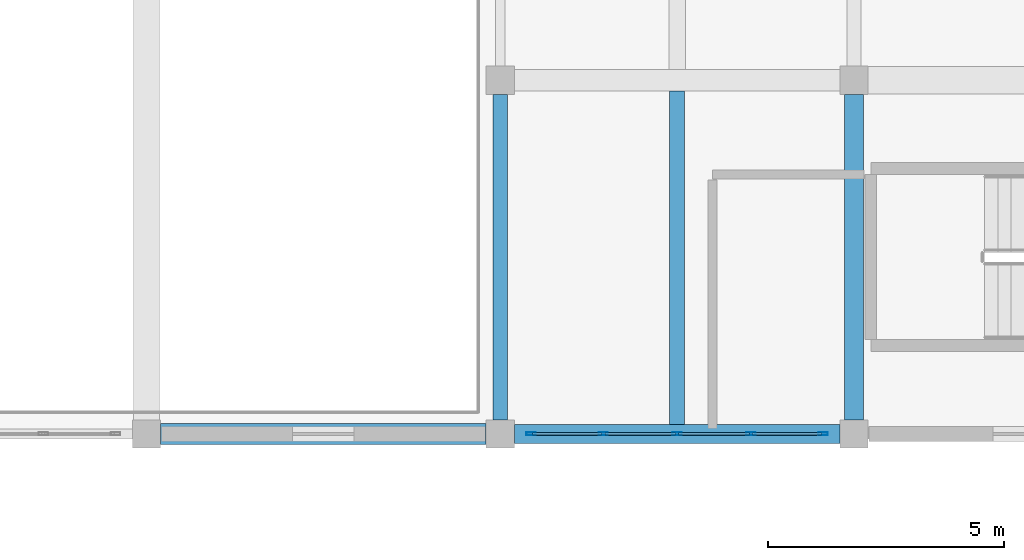
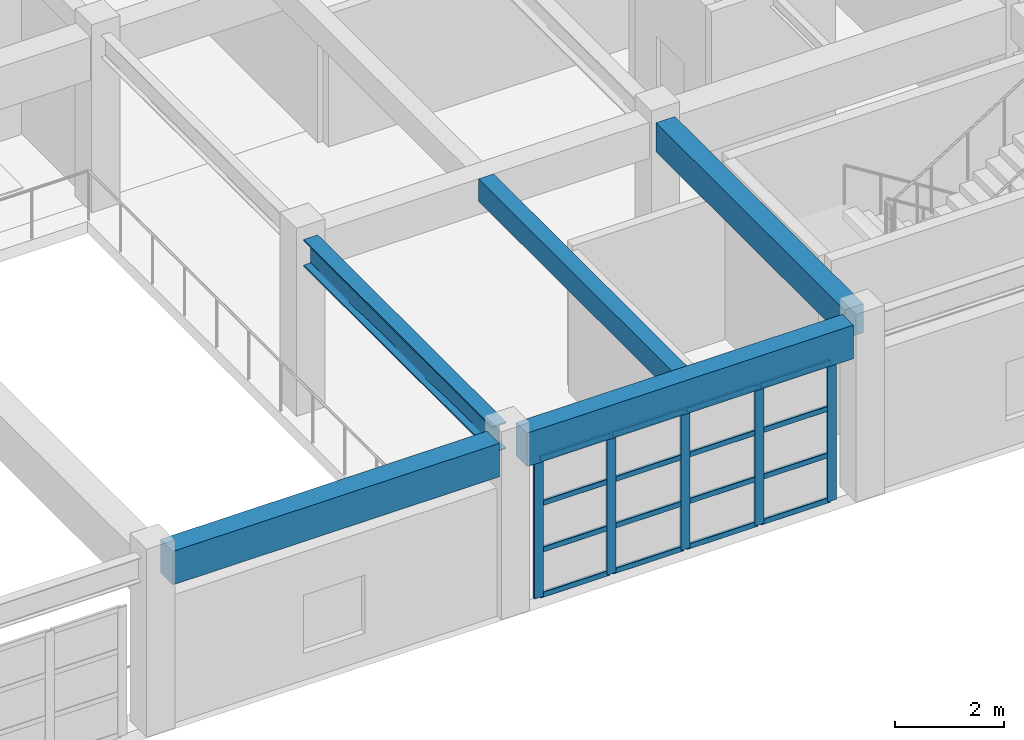
# One storey, part 69 of 124: 21 members, 5 beams, 1 element without a shape of its own.
"""IFC4 building model written with IfcOpenShell, lengths in metres."""

from ifc_helpers import new_model, si_unit, direction, frame, origin, origin_2d, place, context, subcontext, project, spatial, rectangle, hollow_rectangle, i_section, extrude, material, material_profile, profile_set, type_object, element, aggregate, save


model = new_model("IFC4")

# Units and contexts
model_context = context("Model", 3, precision=1e-05, world=origin(), true_north=direction((0.0, 1.0)))
body_context = subcontext(model_context, "Body", "Model", "MODEL_VIEW")
ifc_project = project(units=[si_unit("LENGTHUNIT", "METRE"), si_unit("AREAUNIT", "SQUARE_METRE"), si_unit("VOLUMEUNIT", "CUBIC_METRE"), si_unit("PLANEANGLEUNIT", "RADIAN"), si_unit("MASSUNIT", "GRAM", prefix="KILO")], contexts=[model_context])

# Site, building, storey
site_placement = place(None, origin())
site = spatial("IfcSite", under=ifc_project, at=site_placement, CompositionType="ELEMENT")
building_placement = place(site_placement, origin())
building = spatial("IfcBuilding", under=site, at=building_placement, Name="Qasida Concert Hall", CompositionType="ELEMENT")
storey_placement = place(building_placement, frame((0.0, 0.0, 9.0)))
storey = spatial("IfcBuildingStorey", under=building, at=storey_placement, Name="L02", CompositionType="ELEMENT", Elevation=9.0)

# Beams
ifc_material_1 = material(Name="Concrete C40/50", Category="concrete")
ifc_material_profile_1 = material_profile(ifc_material_1, rectangle(XDim=0.39990234375, YDim=0.64990234375, at=origin_2d()), Name="RC 400x650")
ifc_profile_set_1 = profile_set([ifc_material_profile_1], Name="Concrete C40/50")
beam_type_1 = type_object("IfcBeamType", Name="BM-B1", PredefinedType="BEAM", material=ifc_profile_set_1)
beam_1_placement = place(storey_placement, frame((157.5, 75.300048828125, 3.574951171875), z_axis=(0.0, 1.0, 0.0), x_axis=(-1.0, 0.0, 0.0)))
element("IfcBeam", 1, at=beam_1_placement, inside=storey, type_object=beam_type_1, Name="L02 girder 1406", PredefinedType="BEAM", context=body_context, shape_type="SweptSolid", body=[
    extrude(rectangle(XDim=0.39990234375, YDim=0.64990234375, at=origin_2d()), origin(), (0.0, 0.0, 1.0), 6.89990234375),
])
ifc_material_2 = material(Name="Steel S355J2", Category="steel")
ifc_material_profile_2 = material_profile(ifc_material_2, i_section(OverallWidth=0.300048828125, OverallDepth=0.60009765625, WebThickness=0.015380859375, FlangeThickness=0.030029296875, FilletRadius=0.027099609375, at=origin_2d()), Name="HEB 600")
ifc_profile_set_2 = profile_set([ifc_material_profile_2], Name="Steel S355J2")
beam_type_2 = type_object("IfcBeamType", Name="BM-B6", PredefinedType="BEAM", material=ifc_profile_set_2)
beam_2_placement = place(storey_placement, frame((150.0, 75.300048828125, 3.60009765625), z_axis=(0.0, 1.0, 0.0), x_axis=(-1.0, 0.0, 0.0)))
element("IfcBeam", 2, at=beam_2_placement, inside=storey, type_object=beam_type_2, Name="L02 girder 1401", PredefinedType="BEAM", context=body_context, shape_type="SweptSolid", body=[
    extrude(i_section(OverallWidth=0.300048828125, OverallDepth=0.60009765625, WebThickness=0.015380859375, FlangeThickness=0.030029296875, FilletRadius=0.027099609375, at=origin_2d()), origin(), (0.0, 0.0, 1.0), 6.89990234375),
])
ifc_material_profile_3 = material_profile(ifc_material_1, rectangle(XDim=0.320068359375, YDim=0.5, at=origin_2d()), Name="RC 320x500")
ifc_profile_set_3 = profile_set([ifc_material_profile_3], Name="Concrete C40/50")
beam_type_3 = type_object("IfcBeamType", Name="BM-J7", PredefinedType="JOIST", material=ifc_profile_set_3)
beam_3_placement = place(storey_placement, frame((153.75, 75.199951171875, 3.64990234375), z_axis=(0.0, 1.0, 0.0), x_axis=(-1.0, 0.0, 0.0)))
element("IfcBeam", 3, at=beam_3_placement, inside=storey, type_object=beam_type_3, Name="L02 secondary joist 1430", PredefinedType="JOIST", context=body_context, shape_type="SweptSolid", body=[
    extrude(rectangle(XDim=0.320068359375, YDim=0.5, at=origin_2d()), origin(), (0.0, 0.0, 1.0), 7.074951171875),
])
ifc_material_profile_4 = material_profile(ifc_material_1, rectangle(XDim=0.39990234375, YDim=0.75, at=origin_2d()), Name="RC 400x750")
ifc_profile_set_4 = profile_set([ifc_material_profile_4], Name="Concrete C40/50")
beam_type_4 = type_object("IfcBeamType", Name="BM-SP1", PredefinedType="SPANDREL", material=ifc_profile_set_4)
beam_4_placement = place(storey_placement, frame((150.300048828125, 75.0, 3.52490234375), z_axis=(1.0, 0.0, 0.0), x_axis=(0.0, 1.0, 0.0)))
element("IfcBeam", 4, at=beam_4_placement, inside=storey, type_object=beam_type_4, Name="Primary girder 1354", PredefinedType="SPANDREL", context=body_context, shape_type="SweptSolid", body=[
    extrude(rectangle(XDim=0.39990234375, YDim=0.75, at=origin_2d()), origin(), (0.0, 0.0, 1.0), 6.89990234375),
])
ifc_material_profile_5 = material_profile(ifc_material_1, rectangle(XDim=0.449951171875, YDim=0.75, at=origin_2d()), Name="RC 450x750")
ifc_profile_set_5 = profile_set([ifc_material_profile_5], Name="Concrete C40/50")
beam_type_5 = type_object("IfcBeamType", Name="BM-SP4", PredefinedType="SPANDREL", material=ifc_profile_set_5)
beam_5_placement = place(storey_placement, frame((142.800048828125, 75.0, 3.52490234375), z_axis=(1.0, 0.0, 0.0), x_axis=(0.0, 1.0, 0.0)))
element("IfcBeam", 5, at=beam_5_placement, inside=storey, type_object=beam_type_5, Name="Primary girder 1353", PredefinedType="SPANDREL", context=body_context, shape_type="SweptSolid", body=[
    extrude(rectangle(XDim=0.449951171875, YDim=0.75, at=origin_2d()), origin(), (0.0, 0.0, 1.0), 6.89990234375),
])

# Curtain wall, members
ifc_material_3 = material(Name="Architectural bronze-anodized aluminium and low-E glass", Category="aluminium")
curtain_wall_type = type_object("IfcCurtainWallType", Name="CW-03", PredefinedType="NOTDEFINED", material=ifc_material_3)
curtain_wall_placement = place(storey_placement, origin())
curtain_wall = element("IfcCurtainWall", 6, at=curtain_wall_placement, inside=storey, type_object=curtain_wall_type, Name="L02 curtain wall CW-03 0173", PredefinedType="NOTDEFINED")
ifc_material_4 = material(Name="Architectural bronze-anodized aluminium EN AW-6063", Category="aluminium")
ifc_material_profile_6 = material_profile(ifc_material_4, hollow_rectangle(XDim=0.06494140625, YDim=0.199951171875, WallThickness=0.0048828125, InnerFilletRadius=0.0048828125, OuterFilletRadius=0.010009765625, at=origin_2d()), Name="CWM 200x65x5")
ifc_profile_set_6 = profile_set([ifc_material_profile_6], Name="Architectural bronze-anodized aluminium EN AW-6063")
member_type_1 = type_object("IfcMemberType", Name="MB-CWM-2", PredefinedType="MULLION", material=ifc_profile_set_6)
member_1_placement = place(storey_placement, frame((150.652587890625, 75.0, 0.0), z_axis=(0.0, 0.0, 1.0), x_axis=(0.0, 1.0, 0.0)))
member_1 = element("IfcMember", 7, at=member_1_placement, type_object=member_type_1, Name="CW-03 mullion 1", PredefinedType="MULLION", context=body_context, shape_type="SweptSolid", body=[
    extrude(hollow_rectangle(XDim=0.06494140625, YDim=0.199951171875, WallThickness=0.0048828125, InnerFilletRadius=0.0048828125, OuterFilletRadius=0.010009765625, at=origin_2d()), origin(), (0.0, 0.0, 1.0), 3.1201171875),
])
member_2_placement = place(storey_placement, frame((152.18505859375, 75.0, 0.0), z_axis=(0.0, 0.0, 1.0), x_axis=(0.0, 1.0, 0.0)))
member_2 = element("IfcMember", 8, at=member_2_placement, type_object=member_type_1, Name="CW-03 mullion 2", PredefinedType="MULLION", context=body_context, shape_type="SweptSolid", body=[
    extrude(hollow_rectangle(XDim=0.06494140625, YDim=0.199951171875, WallThickness=0.0048828125, InnerFilletRadius=0.0048828125, OuterFilletRadius=0.010009765625, at=origin_2d()), origin(), (0.0, 0.0, 1.0), 3.1201171875),
])
member_3_placement = place(storey_placement, frame((153.75, 75.0, 0.0), z_axis=(0.0, 0.0, 1.0), x_axis=(0.0, 1.0, 0.0)))
member_3 = element("IfcMember", 9, at=member_3_placement, type_object=member_type_1, Name="CW-03 mullion 3", PredefinedType="MULLION", context=body_context, shape_type="SweptSolid", body=[
    extrude(hollow_rectangle(XDim=0.06494140625, YDim=0.199951171875, WallThickness=0.0048828125, InnerFilletRadius=0.0048828125, OuterFilletRadius=0.010009765625, at=origin_2d()), origin(), (0.0, 0.0, 1.0), 3.1201171875),
])
member_4_placement = place(storey_placement, frame((155.31494140625, 75.0, 0.0), z_axis=(0.0, 0.0, 1.0), x_axis=(0.0, 1.0, 0.0)))
member_4 = element("IfcMember", 10, at=member_4_placement, type_object=member_type_1, Name="CW-03 mullion 4", PredefinedType="MULLION", context=body_context, shape_type="SweptSolid", body=[
    extrude(hollow_rectangle(XDim=0.06494140625, YDim=0.199951171875, WallThickness=0.0048828125, InnerFilletRadius=0.0048828125, OuterFilletRadius=0.010009765625, at=origin_2d()), origin(), (0.0, 0.0, 1.0), 3.1201171875),
])
member_5_placement = place(storey_placement, frame((156.847412109375, 75.0, 0.0), z_axis=(0.0, 0.0, 1.0), x_axis=(0.0, 1.0, 0.0)))
member_5 = element("IfcMember", 11, at=member_5_placement, type_object=member_type_1, Name="CW-03 mullion 5", PredefinedType="MULLION", context=body_context, shape_type="SweptSolid", body=[
    extrude(hollow_rectangle(XDim=0.06494140625, YDim=0.199951171875, WallThickness=0.0048828125, InnerFilletRadius=0.0048828125, OuterFilletRadius=0.010009765625, at=origin_2d()), origin(), (0.0, 0.0, 1.0), 3.1201171875),
])
ifc_material_profile_7 = material_profile(ifc_material_4, hollow_rectangle(XDim=0.06005859375, YDim=0.1201171875, WallThickness=0.00390625, InnerFilletRadius=0.00390625, OuterFilletRadius=0.008056640625, at=origin_2d()), Name="CWT 120x60x4")
ifc_profile_set_7 = profile_set([ifc_material_profile_7], Name="Architectural bronze-anodized aluminium EN AW-6063")
member_type_2 = type_object("IfcMemberType", Name="MB-CWT-2", PredefinedType="USERDEFINED", material=ifc_profile_set_7)
member_6_placement = place(storey_placement, frame((150.68505859375, 75.0, 0.030029296875), z_axis=(1.0, 0.0, 0.0), x_axis=(0.0, 1.0, 0.0)))
member_6 = element("IfcMember", 12, at=member_6_placement, type_object=member_type_2, Name="CW-03 transom 1.1", ObjectType="TRANSOM", PredefinedType="USERDEFINED", context=body_context, shape_type="SweptSolid", body=[
    extrude(hollow_rectangle(XDim=0.06005859375, YDim=0.1201171875, WallThickness=0.00390625, InnerFilletRadius=0.00390625, OuterFilletRadius=0.008056640625, at=origin_2d()), origin(), (0.0, 0.0, 1.0), 1.467529296875),
])
member_7_placement = place(storey_placement, frame((150.68505859375, 75.0, 1.0400390625), z_axis=(1.0, 0.0, 0.0), x_axis=(0.0, 1.0, 0.0)))
member_7 = element("IfcMember", 13, at=member_7_placement, type_object=member_type_2, Name="CW-03 transom 1.2", ObjectType="TRANSOM", PredefinedType="USERDEFINED", context=body_context, shape_type="SweptSolid", body=[
    extrude(hollow_rectangle(XDim=0.06005859375, YDim=0.1201171875, WallThickness=0.00390625, InnerFilletRadius=0.00390625, OuterFilletRadius=0.008056640625, at=origin_2d()), origin(), (0.0, 0.0, 1.0), 1.467529296875),
])
member_8_placement = place(storey_placement, frame((150.68505859375, 75.0, 2.080078125), z_axis=(1.0, 0.0, 0.0), x_axis=(0.0, 1.0, 0.0)))
member_8 = element("IfcMember", 14, at=member_8_placement, type_object=member_type_2, Name="CW-03 transom 1.3", ObjectType="TRANSOM", PredefinedType="USERDEFINED", context=body_context, shape_type="SweptSolid", body=[
    extrude(hollow_rectangle(XDim=0.06005859375, YDim=0.1201171875, WallThickness=0.00390625, InnerFilletRadius=0.00390625, OuterFilletRadius=0.008056640625, at=origin_2d()), origin(), (0.0, 0.0, 1.0), 1.467529296875),
])
member_9_placement = place(storey_placement, frame((150.68505859375, 75.0, 3.090087890625), z_axis=(1.0, 0.0, 0.0), x_axis=(0.0, 1.0, 0.0)))
member_9 = element("IfcMember", 15, at=member_9_placement, type_object=member_type_2, Name="CW-03 transom 1.4", ObjectType="TRANSOM", PredefinedType="USERDEFINED", context=body_context, shape_type="SweptSolid", body=[
    extrude(hollow_rectangle(XDim=0.06005859375, YDim=0.1201171875, WallThickness=0.00390625, InnerFilletRadius=0.00390625, OuterFilletRadius=0.008056640625, at=origin_2d()), origin(), (0.0, 0.0, 1.0), 1.467529296875),
])
member_10_placement = place(storey_placement, frame((152.217529296875, 75.0, 0.030029296875), z_axis=(1.0, 0.0, 0.0), x_axis=(0.0, 1.0, 0.0)))
member_10 = element("IfcMember", 16, at=member_10_placement, type_object=member_type_2, Name="CW-03 transom 2.1", ObjectType="TRANSOM", PredefinedType="USERDEFINED", context=body_context, shape_type="SweptSolid", body=[
    extrude(hollow_rectangle(XDim=0.06005859375, YDim=0.1201171875, WallThickness=0.00390625, InnerFilletRadius=0.00390625, OuterFilletRadius=0.008056640625, at=origin_2d()), origin(), (0.0, 0.0, 1.0), 1.5),
])
member_11_placement = place(storey_placement, frame((152.217529296875, 75.0, 1.0400390625), z_axis=(1.0, 0.0, 0.0), x_axis=(0.0, 1.0, 0.0)))
member_11 = element("IfcMember", 17, at=member_11_placement, type_object=member_type_2, Name="CW-03 transom 2.2", ObjectType="TRANSOM", PredefinedType="USERDEFINED", context=body_context, shape_type="SweptSolid", body=[
    extrude(hollow_rectangle(XDim=0.06005859375, YDim=0.1201171875, WallThickness=0.00390625, InnerFilletRadius=0.00390625, OuterFilletRadius=0.008056640625, at=origin_2d()), origin(), (0.0, 0.0, 1.0), 1.5),
])
member_12_placement = place(storey_placement, frame((152.217529296875, 75.0, 2.080078125), z_axis=(1.0, 0.0, 0.0), x_axis=(0.0, 1.0, 0.0)))
member_12 = element("IfcMember", 18, at=member_12_placement, type_object=member_type_2, Name="CW-03 transom 2.3", ObjectType="TRANSOM", PredefinedType="USERDEFINED", context=body_context, shape_type="SweptSolid", body=[
    extrude(hollow_rectangle(XDim=0.06005859375, YDim=0.1201171875, WallThickness=0.00390625, InnerFilletRadius=0.00390625, OuterFilletRadius=0.008056640625, at=origin_2d()), origin(), (0.0, 0.0, 1.0), 1.5),
])
member_13_placement = place(storey_placement, frame((152.217529296875, 75.0, 3.090087890625), z_axis=(1.0, 0.0, 0.0), x_axis=(0.0, 1.0, 0.0)))
member_13 = element("IfcMember", 19, at=member_13_placement, type_object=member_type_2, Name="CW-03 transom 2.4", ObjectType="TRANSOM", PredefinedType="USERDEFINED", context=body_context, shape_type="SweptSolid", body=[
    extrude(hollow_rectangle(XDim=0.06005859375, YDim=0.1201171875, WallThickness=0.00390625, InnerFilletRadius=0.00390625, OuterFilletRadius=0.008056640625, at=origin_2d()), origin(), (0.0, 0.0, 1.0), 1.5),
])
member_14_placement = place(storey_placement, frame((153.782470703125, 75.0, 0.030029296875), z_axis=(1.0, 0.0, 0.0), x_axis=(0.0, 1.0, 0.0)))
member_14 = element("IfcMember", 20, at=member_14_placement, type_object=member_type_2, Name="CW-03 transom 3.1", ObjectType="TRANSOM", PredefinedType="USERDEFINED", context=body_context, shape_type="SweptSolid", body=[
    extrude(hollow_rectangle(XDim=0.06005859375, YDim=0.1201171875, WallThickness=0.00390625, InnerFilletRadius=0.00390625, OuterFilletRadius=0.008056640625, at=origin_2d()), origin(), (0.0, 0.0, 1.0), 1.5),
])
member_15_placement = place(storey_placement, frame((153.782470703125, 75.0, 1.0400390625), z_axis=(1.0, 0.0, 0.0), x_axis=(0.0, 1.0, 0.0)))
member_15 = element("IfcMember", 21, at=member_15_placement, type_object=member_type_2, Name="CW-03 transom 3.2", ObjectType="TRANSOM", PredefinedType="USERDEFINED", context=body_context, shape_type="SweptSolid", body=[
    extrude(hollow_rectangle(XDim=0.06005859375, YDim=0.1201171875, WallThickness=0.00390625, InnerFilletRadius=0.00390625, OuterFilletRadius=0.008056640625, at=origin_2d()), origin(), (0.0, 0.0, 1.0), 1.5),
])
member_16_placement = place(storey_placement, frame((153.782470703125, 75.0, 2.080078125), z_axis=(1.0, 0.0, 0.0), x_axis=(0.0, 1.0, 0.0)))
member_16 = element("IfcMember", 22, at=member_16_placement, type_object=member_type_2, Name="CW-03 transom 3.3", ObjectType="TRANSOM", PredefinedType="USERDEFINED", context=body_context, shape_type="SweptSolid", body=[
    extrude(hollow_rectangle(XDim=0.06005859375, YDim=0.1201171875, WallThickness=0.00390625, InnerFilletRadius=0.00390625, OuterFilletRadius=0.008056640625, at=origin_2d()), origin(), (0.0, 0.0, 1.0), 1.5),
])
member_17_placement = place(storey_placement, frame((153.782470703125, 75.0, 3.090087890625), z_axis=(1.0, 0.0, 0.0), x_axis=(0.0, 1.0, 0.0)))
member_17 = element("IfcMember", 23, at=member_17_placement, type_object=member_type_2, Name="CW-03 transom 3.4", ObjectType="TRANSOM", PredefinedType="USERDEFINED", context=body_context, shape_type="SweptSolid", body=[
    extrude(hollow_rectangle(XDim=0.06005859375, YDim=0.1201171875, WallThickness=0.00390625, InnerFilletRadius=0.00390625, OuterFilletRadius=0.008056640625, at=origin_2d()), origin(), (0.0, 0.0, 1.0), 1.5),
])
member_18_placement = place(storey_placement, frame((155.347412109375, 75.0, 0.030029296875), z_axis=(1.0, 0.0, 0.0), x_axis=(0.0, 1.0, 0.0)))
member_18 = element("IfcMember", 24, at=member_18_placement, type_object=member_type_2, Name="CW-03 transom 4.1", ObjectType="TRANSOM", PredefinedType="USERDEFINED", context=body_context, shape_type="SweptSolid", body=[
    extrude(hollow_rectangle(XDim=0.06005859375, YDim=0.1201171875, WallThickness=0.00390625, InnerFilletRadius=0.00390625, OuterFilletRadius=0.008056640625, at=origin_2d()), origin(), (0.0, 0.0, 1.0), 1.467529296875),
])
member_19_placement = place(storey_placement, frame((155.347412109375, 75.0, 1.0400390625), z_axis=(1.0, 0.0, 0.0), x_axis=(0.0, 1.0, 0.0)))
member_19 = element("IfcMember", 25, at=member_19_placement, type_object=member_type_2, Name="CW-03 transom 4.2", ObjectType="TRANSOM", PredefinedType="USERDEFINED", context=body_context, shape_type="SweptSolid", body=[
    extrude(hollow_rectangle(XDim=0.06005859375, YDim=0.1201171875, WallThickness=0.00390625, InnerFilletRadius=0.00390625, OuterFilletRadius=0.008056640625, at=origin_2d()), origin(), (0.0, 0.0, 1.0), 1.467529296875),
])
member_20_placement = place(storey_placement, frame((155.347412109375, 75.0, 2.080078125), z_axis=(1.0, 0.0, 0.0), x_axis=(0.0, 1.0, 0.0)))
member_20 = element("IfcMember", 26, at=member_20_placement, type_object=member_type_2, Name="CW-03 transom 4.3", ObjectType="TRANSOM", PredefinedType="USERDEFINED", context=body_context, shape_type="SweptSolid", body=[
    extrude(hollow_rectangle(XDim=0.06005859375, YDim=0.1201171875, WallThickness=0.00390625, InnerFilletRadius=0.00390625, OuterFilletRadius=0.008056640625, at=origin_2d()), origin(), (0.0, 0.0, 1.0), 1.467529296875),
])
member_21_placement = place(storey_placement, frame((155.347412109375, 75.0, 3.090087890625), z_axis=(1.0, 0.0, 0.0), x_axis=(0.0, 1.0, 0.0)))
member_21 = element("IfcMember", 27, at=member_21_placement, type_object=member_type_2, Name="CW-03 transom 4.4", ObjectType="TRANSOM", PredefinedType="USERDEFINED", context=body_context, shape_type="SweptSolid", body=[
    extrude(hollow_rectangle(XDim=0.06005859375, YDim=0.1201171875, WallThickness=0.00390625, InnerFilletRadius=0.00390625, OuterFilletRadius=0.008056640625, at=origin_2d()), origin(), (0.0, 0.0, 1.0), 1.467529296875),
])
aggregate(curtain_wall, [member_1, member_2, member_3, member_4, member_5, member_6, member_7, member_8, member_9, member_10, member_11, member_12, member_13, member_14, member_15, member_16, member_17, member_18, member_19, member_20, member_21])

save(model, "model.ifc")
